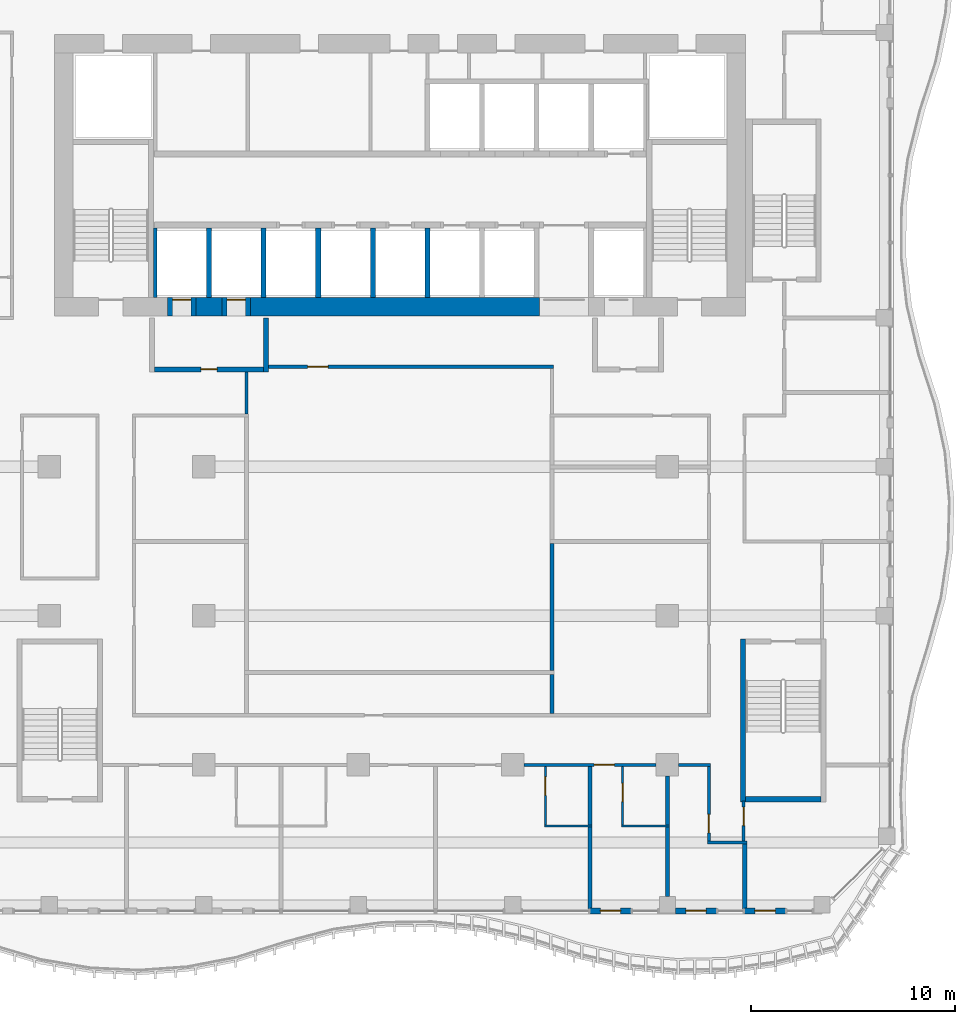
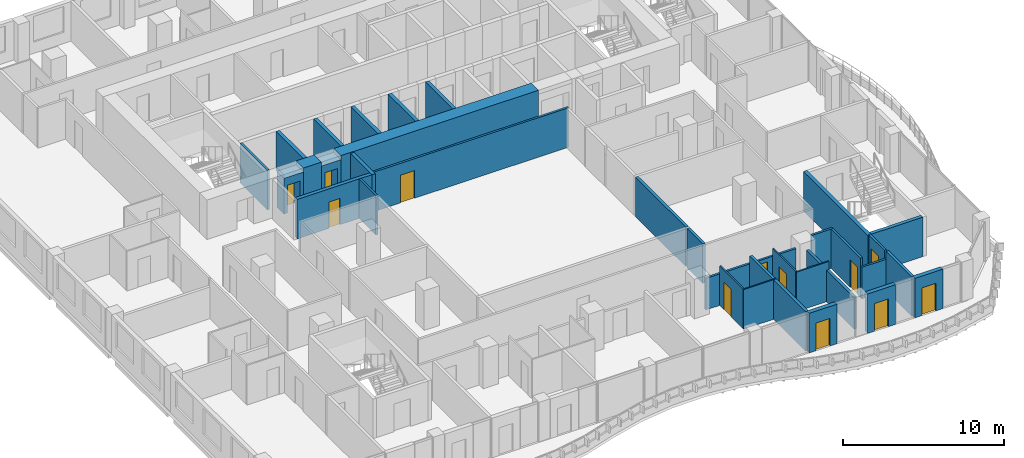
# One storey, part 12 of 23: 35 walls, 12 doors, 12 openings.
"""IFC4 building model written with IfcOpenShell, lengths in metres."""

from ifc_helpers import new_model, si_unit, direction, frame, frame_2d, origin, place, context, subcontext, project, spatial, rectangle, extrude, source, transform, mapped, material, layer, layer_set, type_object, element, fill, save


model = new_model("IFC4")

# Units and contexts
model_context = context("Model", 3, precision=1e-05, world=origin(), true_north=direction((0.0, 1.0)))
body_context = subcontext(model_context, "Body", "Model", "MODEL_VIEW")
ifc_project = project(units=[si_unit("LENGTHUNIT", "METRE"), si_unit("AREAUNIT", "SQUARE_METRE"), si_unit("VOLUMEUNIT", "CUBIC_METRE"), si_unit("PLANEANGLEUNIT", "RADIAN"), si_unit("MASSUNIT", "GRAM", prefix="KILO")], contexts=[model_context])

# Site, building, storey
site_placement = place(None, origin())
site = spatial("IfcSite", under=ifc_project, at=site_placement, CompositionType="ELEMENT")
building_placement = place(site_placement, origin())
building = spatial("IfcBuilding", under=site, at=building_placement, Name="Kilnfold Tower and Market Hall", CompositionType="ELEMENT")
storey_placement = place(building_placement, frame((0.0, 0.0, 160.89990234375)))
storey = spatial("IfcBuildingStorey", under=building, at=storey_placement, Name="L37", CompositionType="ELEMENT", Elevation=160.89990234375)

# Wall, opening, door
ifc_material_1 = material(Name="Gypsum board on steel studs", Category="steel")
ifc_layer_1 = layer(ifc_material_1, 0.14990234375)
ifc_layer_set_1 = layer_set([ifc_layer_1], Name="Gypsum board on steel studs")
wall_type_1 = type_object("IfcWallType", Name="WALL CORRIDOR 150", PredefinedType="PARTITIONING", material=ifc_layer_set_1)
wall_1_placement = place(storey_placement, frame((7.133056640625, -13.93798828125, 0.0), z_axis=(0.0, 0.0, 1.0), x_axis=(1.0, 0.0, 0.0)))
wall_1 = element("IfcWall", 1, at=wall_1_placement, inside=storey, type_object=wall_type_1, Name="Partition LY24.5", PredefinedType="PARTITIONING", context=body_context, shape_type="SweptSolid", body=[
    extrude(rectangle(XDim=6.48388671875, YDim=0.14990234375, at=frame_2d((3.241943359375, 0.0))), origin(), (0.0, 0.0, 1.0), 2.400146484375),
])
opening_1_placement = place(wall_1_placement, frame((3.431884765625, 0.0, 0.0)))
opening_1 = element("IfcOpeningElement", 2, at=opening_1_placement, cuts=wall_1, Name="Opening D1", PredefinedType="OPENING", context=body_context, shape_type="SweptSolid", body=[
    extrude(rectangle(XDim=1.0, YDim=2.10009765625, at=frame_2d((0.5, 1.050048828125))), frame((0.0, 0.0849609375, 0.0), z_axis=(0.0, -1.0, 0.0), x_axis=(1.0, 0.0, 0.0)), (0.0, 0.0, 1.0), 0.169921875),
])
ifc_material_2 = material(Name="Timber veneer door leaf in steel frame", Category="steel")
door_type_1 = type_object("IfcDoorType", Name="DOOR ENTRY 1000 X2100", OperationType="NOTDEFINED", PredefinedType="DOOR", material=ifc_material_2)
door_1_placement = place(opening_1_placement, origin())
door_1 = element("IfcDoor", 3, at=door_1_placement, inside=storey, type_object=door_type_1, Name="Door D1", OperationType="SINGLE_SWING_LEFT", OverallHeight=2.10009765625, OverallWidth=1.0, PredefinedType="DOOR", context=body_context, shape_type="SweptSolid", body=[
    extrude(rectangle(XDim=1.0, YDim=2.10009765625, at=frame_2d((0.5, 1.050048828125))), frame((0.0, 0.02490234375, 0.0), z_axis=(0.0, -1.0, 0.0), x_axis=(1.0, 0.0, 0.0)), (0.0, 0.0, 1.0), 0.050048828125),
])
fill(opening_1, door_1)

# Wall
wall_2_placement = place(storey_placement, frame((16.125, -17.75, 0.0), z_axis=(0.0, 0.0, 1.0), x_axis=(1.0, 0.0, 0.0)))
element("IfcWall", 4, at=wall_2_placement, inside=storey, type_object=wall_type_1, Name="Partition LY24.6", PredefinedType="PARTITIONING", context=body_context, shape_type="SweptSolid", body=[
    extrude(rectangle(XDim=1.93408203125, YDim=0.14990234375, at=frame_2d((0.967041015625, 0.0))), origin(), (0.0, 0.0, 1.0), 2.400146484375),
])

# Wall, opening, door
wall_3_placement = place(storey_placement, frame((16.199951171875, -17.675048828125, 0.0), z_axis=(0.0, 0.0, 1.0), x_axis=(0.0, 1.0, 0.0)))
wall_3 = element("IfcWall", 5, at=wall_3_placement, inside=storey, type_object=wall_type_1, Name="Partition LY24.7", PredefinedType="PARTITIONING", context=body_context, shape_type="SweptSolid", body=[
    extrude(rectangle(XDim=3.662109375, YDim=0.14990234375, at=frame_2d((1.8310546875, 0.0))), origin(), (0.0, 0.0, 1.0), 3.0),
])
opening_2_placement = place(wall_3_placement, frame((0.405029296875, 0.0, 0.0)))
opening_2 = element("IfcOpeningElement", 6, at=opening_2_placement, cuts=wall_3, Name="Opening D2", PredefinedType="OPENING", context=body_context, shape_type="SweptSolid", body=[
    extrude(rectangle(XDim=0.89990234375, YDim=2.10009765625, at=frame_2d((0.449951171875, 1.050048828125))), frame((0.0, 0.0849609375, 0.0), z_axis=(0.0, -1.0, 0.0), x_axis=(1.0, 0.0, 0.0)), (0.0, 0.0, 1.0), 0.169921875),
])
ifc_material_3 = material(Name="Timber veneer door leaf in steel frame", Category="steel")
door_type_2 = type_object("IfcDoorType", Name="DOOR ROOM 900 X2100", OperationType="NOTDEFINED", PredefinedType="DOOR", material=ifc_material_3)
door_2_placement = place(opening_2_placement, origin())
door_2 = element("IfcDoor", 7, at=door_2_placement, inside=storey, type_object=door_type_2, Name="Door D2", OperationType="SINGLE_SWING_RIGHT", OverallHeight=2.10009765625, OverallWidth=0.89990234375, PredefinedType="DOOR", context=body_context, shape_type="SweptSolid", body=[
    extrude(rectangle(XDim=0.89990234375, YDim=2.10009765625, at=frame_2d((0.449951171875, 1.050048828125))), frame((0.0, 0.02490234375, 0.0), z_axis=(0.0, -1.0, 0.0), x_axis=(1.0, 0.0, 0.0)), (0.0, 0.0, 1.0), 0.050048828125),
])
fill(opening_2, door_2)

# Wall
wall_4_placement = place(storey_placement, frame((14.717041015625, -13.93798828125, 0.0), z_axis=(0.0, 0.0, 1.0), x_axis=(1.0, 0.0, 0.0)))
element("IfcWall", 8, at=wall_4_placement, inside=storey, type_object=wall_type_1, Name="Partition LY24.8", PredefinedType="PARTITIONING", context=body_context, shape_type="SweptSolid", body=[
    extrude(rectangle(XDim=1.557861328125, YDim=0.14990234375, at=frame_2d((0.77880859375, 0.0))), origin(), (0.0, 0.0, 1.0), 3.0),
])

# Wall, opening, door
wall_5_placement = place(storey_placement, frame((17.908935546875, -17.675048828125, 0.0), z_axis=(0.0, 0.0, 1.0), x_axis=(0.0, 1.0, 0.0)))
wall_5 = element("IfcWall", 9, at=wall_5_placement, inside=storey, type_object=wall_type_1, Name="Partition LY24.9", PredefinedType="PARTITIONING", context=body_context, shape_type="SweptSolid", body=[
    extrude(rectangle(XDim=1.97509765625, YDim=0.14990234375, at=frame_2d((0.987548828125, 0.0))), origin(), (0.0, 0.0, 1.0), 3.0),
])
opening_3_placement = place(wall_5_placement, frame((0.762939453125, 0.0, 0.0)))
opening_3 = element("IfcOpeningElement", 10, at=opening_3_placement, cuts=wall_5, Name="Opening D2", PredefinedType="OPENING", context=body_context, shape_type="SweptSolid", body=[
    extrude(rectangle(XDim=0.89990234375, YDim=2.10009765625, at=frame_2d((0.449951171875, 1.050048828125))), frame((0.0, 0.0849609375, 0.0), z_axis=(0.0, -1.0, 0.0), x_axis=(1.0, 0.0, 0.0)), (0.0, 0.0, 1.0), 0.169921875),
])
door_3_placement = place(opening_3_placement, origin())
door_3 = element("IfcDoor", 11, at=door_3_placement, inside=storey, type_object=door_type_2, Name="Door D2", OperationType="SINGLE_SWING_RIGHT", OverallHeight=2.10009765625, OverallWidth=0.89990234375, PredefinedType="DOOR", context=body_context, shape_type="SweptSolid", body=[
    extrude(rectangle(XDim=0.89990234375, YDim=2.10009765625, at=frame_2d((0.449951171875, 1.050048828125))), frame((0.0, 0.02490234375, 0.0), z_axis=(0.0, -1.0, 0.0), x_axis=(1.0, 0.0, 0.0)), (0.0, 0.0, 1.0), 0.050048828125),
])
fill(opening_3, door_3)

# Wall
wall_6_placement = place(storey_placement, frame((-6.5, 3.27490234375, 0.0), z_axis=(0.0, 0.0, 1.0), x_axis=(0.0, 1.0, 0.0)))
element("IfcWall", 12, at=wall_6_placement, inside=storey, type_object=wall_type_1, Name="Partition LY24.44", PredefinedType="PARTITIONING", context=body_context, shape_type="SweptSolid", body=[
    extrude(rectangle(XDim=2.0751953125, YDim=0.14990234375, at=frame_2d((1.03759765625, 0.0))), origin(), (0.0, 0.0, 1.0), 3.0),
])

# Wall, opening, door
wall_7_placement = place(storey_placement, frame((-5.39990234375, 5.60009765625, 0.0), z_axis=(0.0, 0.0, 1.0), x_axis=(1.0, 0.0, 0.0)))
wall_7 = element("IfcWall", 13, at=wall_7_placement, inside=storey, type_object=wall_type_1, Name="Partition LY24.46", PredefinedType="PARTITIONING", context=body_context, shape_type="SweptSolid", body=[
    extrude(rectangle(XDim=13.974853515625, YDim=0.14990234375, at=frame_2d((6.9873046875, 0.0))), origin(), (0.0, 0.0, 1.0), 3.0),
])
opening_4_placement = place(wall_7_placement, frame((1.909912109375, 0.0, 0.0)))
opening_4 = element("IfcOpeningElement", 14, at=opening_4_placement, cuts=wall_7, Name="Opening D1", PredefinedType="OPENING", context=body_context, shape_type="SweptSolid", body=[
    extrude(rectangle(XDim=1.0, YDim=2.10009765625, at=frame_2d((0.5, 1.050048828125))), frame((0.0, 0.0849609375, 0.0), z_axis=(0.0, -1.0, 0.0), x_axis=(1.0, 0.0, 0.0)), (0.0, 0.0, 1.0), 0.169921875),
])
door_4_placement = place(opening_4_placement, origin())
door_4 = element("IfcDoor", 15, at=door_4_placement, inside=storey, type_object=door_type_1, Name="Door D1", OperationType="SINGLE_SWING_LEFT", OverallHeight=2.10009765625, OverallWidth=1.0, PredefinedType="DOOR", context=body_context, shape_type="SweptSolid", body=[
    extrude(rectangle(XDim=1.0, YDim=2.10009765625, at=frame_2d((0.5, 1.050048828125))), frame((0.0, 0.02490234375, 0.0), z_axis=(0.0, -1.0, 0.0), x_axis=(1.0, 0.0, 0.0)), (0.0, 0.0, 1.0), 0.050048828125),
])
fill(opening_4, door_4)

ifc_material_4 = material(Name="Gypsum board on steel studs", Category="steel")
ifc_layer_2 = layer(ifc_material_4, 0.10009765625)
ifc_layer_set_2 = layer_set([ifc_layer_2], Name="Gypsum board on steel studs")
wall_type_2 = type_object("IfcWallType", Name="WALL PARTITION 100", PredefinedType="PARTITIONING", material=ifc_layer_set_2)
wall_8_placement = place(storey_placement, frame((8.175048828125, -16.889892578125, 0.0), z_axis=(0.0, 0.0, 1.0), x_axis=(0.0, 1.0, 0.0)))
wall_8 = element("IfcWall", 16, at=wall_8_placement, inside=storey, type_object=wall_type_2, Name="Partition LY24.55", PredefinedType="PARTITIONING", context=body_context, shape_type="SweptSolid", body=[
    extrude(rectangle(XDim=2.875, YDim=0.10009765625, at=frame_2d((1.4375, 0.0))), origin(), (0.0, 0.0, 1.0), 3.0),
])
opening_5_placement = place(wall_8_placement, frame((1.4599609375, 0.0, 0.0)))
opening_5 = element("IfcOpeningElement", 17, at=opening_5_placement, cuts=wall_8, Name="Opening D3", PredefinedType="OPENING", context=body_context, shape_type="SweptSolid", body=[
    extrude(rectangle(XDim=0.89990234375, YDim=2.10009765625, at=frame_2d((0.449951171875, 1.050048828125))), frame((0.0, 0.06005859375, 0.0), z_axis=(0.0, -1.0, 0.0), x_axis=(1.0, 0.0, 0.0)), (0.0, 0.0, 1.0), 0.1201171875),
])
ifc_material_5 = material(Name="Timber veneer door leaf in steel frame", Category="steel")
door_type_3 = type_object("IfcDoorType", Name="DOOR WC 900 X2100", OperationType="NOTDEFINED", PredefinedType="DOOR", material=ifc_material_5)
door_5_placement = place(opening_5_placement, origin())
door_5 = element("IfcDoor", 18, at=door_5_placement, inside=storey, type_object=door_type_3, Name="Door D3", OperationType="SINGLE_SWING_LEFT", OverallHeight=2.10009765625, OverallWidth=0.89990234375, PredefinedType="DOOR", context=body_context, shape_type="SweptSolid", body=[
    extrude(rectangle(XDim=0.89990234375, YDim=2.10009765625, at=frame_2d((0.449951171875, 1.050048828125))), frame((0.0, 0.02490234375, 0.0), z_axis=(0.0, -1.0, 0.0), x_axis=(1.0, 0.0, 0.0)), (0.0, 0.0, 1.0), 0.050048828125),
])
fill(opening_5, door_5)

# Wall
wall_9_placement = place(storey_placement, frame((8.125, -16.93994140625, 0.0), z_axis=(0.0, 0.0, 1.0), x_axis=(1.0, 0.0, 0.0)))
element("IfcWall", 19, at=wall_9_placement, inside=storey, type_object=wall_type_2, Name="Partition LY24.56", PredefinedType="PARTITIONING", context=body_context, shape_type="SweptSolid", body=[
    extrude(rectangle(XDim=2.35009765625, YDim=0.10009765625, at=frame_2d((1.175048828125, 0.0))), origin(), (0.0, 0.0, 1.0), 3.0),
])

# Wall, opening, door
wall_10_placement = place(storey_placement, frame((11.967041015625, -16.889892578125, 0.0), z_axis=(0.0, 0.0, 1.0), x_axis=(0.0, 1.0, 0.0)))
wall_10 = element("IfcWall", 20, at=wall_10_placement, inside=storey, type_object=wall_type_2, Name="Partition LY24.59", PredefinedType="PARTITIONING", context=body_context, shape_type="SweptSolid", body=[
    extrude(rectangle(XDim=2.875, YDim=0.10009765625, at=frame_2d((1.4375, 0.0))), origin(), (0.0, 0.0, 1.0), 3.0),
])
opening_6_placement = place(wall_10_placement, frame((1.14501953125, 0.0, 0.0)))
opening_6 = element("IfcOpeningElement", 21, at=opening_6_placement, cuts=wall_10, Name="Opening D3", PredefinedType="OPENING", context=body_context, shape_type="SweptSolid", body=[
    extrude(rectangle(XDim=0.89990234375, YDim=2.10009765625, at=frame_2d((0.449951171875, 1.050048828125))), frame((0.0, 0.06005859375, 0.0), z_axis=(0.0, -1.0, 0.0), x_axis=(1.0, 0.0, 0.0)), (0.0, 0.0, 1.0), 0.1201171875),
])
door_6_placement = place(opening_6_placement, origin())
door_6 = element("IfcDoor", 22, at=door_6_placement, inside=storey, type_object=door_type_3, Name="Door D3", OperationType="SINGLE_SWING_RIGHT", OverallHeight=2.10009765625, OverallWidth=0.89990234375, PredefinedType="DOOR", context=body_context, shape_type="SweptSolid", body=[
    extrude(rectangle(XDim=0.89990234375, YDim=2.10009765625, at=frame_2d((0.449951171875, 1.050048828125))), frame((0.0, 0.02490234375, 0.0), z_axis=(0.0, -1.0, 0.0), x_axis=(1.0, 0.0, 0.0)), (0.0, 0.0, 1.0), 0.050048828125),
])
fill(opening_6, door_6)

# Walls
wall_11_placement = place(storey_placement, frame((11.9169921875, -16.93994140625, 0.0), z_axis=(0.0, 0.0, 1.0), x_axis=(1.0, 0.0, 0.0)))
element("IfcWall", 23, at=wall_11_placement, inside=storey, type_object=wall_type_2, Name="Partition LY24.60", PredefinedType="PARTITIONING", context=body_context, shape_type="SweptSolid", body=[
    extrude(rectangle(XDim=2.35009765625, YDim=0.10009765625, at=frame_2d((1.175048828125, 0.0))), origin(), (0.0, 0.0, 1.0), 3.0),
])
ifc_material_6 = material(Name="Gypsum board on steel studs", Category="steel")
ifc_layer_3 = layer(ifc_material_6, 0.199951171875)
ifc_layer_set_3 = layer_set([ifc_layer_3], Name="Gypsum board on steel studs")
wall_type_3 = type_object("IfcWallType", Name="WALL PARTY 200", PredefinedType="PARTITIONING", material=ifc_layer_set_3)
wall_12_placement = place(storey_placement, frame((10.375, -21.0, 0.0), z_axis=(0.0, 0.0, 1.0), x_axis=(0.0, 1.0, 0.0)))
element("IfcWall", 24, at=wall_12_placement, inside=storey, type_object=wall_type_3, Name="Partition LY24.57", PredefinedType="PARTITIONING", context=body_context, shape_type="SweptSolid", body=[
    extrude(rectangle(XDim=4.010009765625, YDim=0.199951171875, at=frame_2d((2.0048828125, 0.0))), origin(), (0.0, 0.0, 1.0), 3.0),
])
wall_13_placement = place(storey_placement, frame((10.375, -16.889892578125, 0.0), z_axis=(0.0, 0.0, 1.0), x_axis=(0.0, 1.0, 0.0)))
element("IfcWall", 25, at=wall_13_placement, inside=storey, type_object=wall_type_3, Name="Partition LY24.58", PredefinedType="PARTITIONING", context=body_context, shape_type="SweptSolid", body=[
    extrude(rectangle(XDim=2.875, YDim=0.199951171875, at=frame_2d((1.4375, 0.0))), origin(), (0.0, 0.0, 1.0), 3.0),
])
wall_14_placement = place(storey_placement, frame((14.1669921875, -20.39990234375, 0.0), z_axis=(0.0, 0.0, 1.0), x_axis=(0.0, 1.0, 0.0)))
element("IfcWall", 26, at=wall_14_placement, inside=storey, type_object=wall_type_3, Name="Partition LY24.61", PredefinedType="PARTITIONING", context=body_context, shape_type="SweptSolid", body=[
    extrude(rectangle(XDim=3.409912109375, YDim=0.199951171875, at=frame_2d((1.705078125, 0.0))), origin(), (0.0, 0.0, 1.0), 2.400146484375),
])
wall_15_placement = place(storey_placement, frame((14.1669921875, -16.889892578125, 0.0), z_axis=(0.0, 0.0, 1.0), x_axis=(0.0, 1.0, 0.0)))
element("IfcWall", 27, at=wall_15_placement, inside=storey, type_object=wall_type_3, Name="Partition LY24.62", PredefinedType="PARTITIONING", context=body_context, shape_type="SweptSolid", body=[
    extrude(rectangle(XDim=2.40185546875, YDim=0.199951171875, at=frame_2d((1.200927734375, 0.0))), origin(), (0.0, 0.0, 1.0), 2.400146484375),
])
wall_16_placement = place(storey_placement, frame((17.958984375, -21.0, 0.0), z_axis=(0.0, 0.0, 1.0), x_axis=(0.0, 1.0, 0.0)))
element("IfcWall", 28, at=wall_16_placement, inside=storey, type_object=wall_type_3, Name="Partition LY24.63", PredefinedType="PARTITIONING", context=body_context, shape_type="SweptSolid", body=[
    extrude(rectangle(XDim=3.173095703125, YDim=0.199951171875, at=frame_2d((1.58642578125, 0.0))), origin(), (0.0, 0.0, 1.0), 3.0),
])
wall_17_placement = place(storey_placement, frame((8.5, -11.423095703125, 0.0), z_axis=(0.0, 0.0, 1.0), x_axis=(0.0, 1.0, 0.0)))
element("IfcWall", 29, at=wall_17_placement, inside=storey, type_object=wall_type_3, Name="Partition LY24.108", PredefinedType="PARTITIONING", context=body_context, shape_type="SweptSolid", body=[
    extrude(rectangle(XDim=1.923095703125, YDim=0.199951171875, at=frame_2d((0.96142578125, 0.0))), origin(), (0.0, 0.0, 1.0), 3.0),
])
wall_18_placement = place(storey_placement, frame((8.5, -9.31005859375, 0.0), z_axis=(0.0, 0.0, 1.0), x_axis=(0.0, 1.0, 0.0)))
element("IfcWall", 30, at=wall_18_placement, inside=storey, type_object=wall_type_3, Name="Partition LY24.111", PredefinedType="PARTITIONING", context=body_context, shape_type="SweptSolid", body=[
    extrude(rectangle(XDim=6.240966796875, YDim=0.199951171875, at=frame_2d((3.12060546875, 0.0))), origin(), (0.0, 0.0, 1.0), 3.0),
])
ifc_material_7 = material(Name="Concrete C70", Category="concrete")
ifc_layer_4 = layer(ifc_material_7, 0.89990234375)
ifc_layer_set_4 = layer_set([ifc_layer_4], Name="Concrete C70")
wall_type_4 = type_object("IfcWallType", Name="CORE WALL 900 C70", PredefinedType="SHEAR", material=ifc_layer_set_4)
shared_shape_1 = source(origin(), body_context, "Body", "SweptSolid", [
    extrude(rectangle(XDim=1.280029296875, YDim=0.89990234375, at=frame_2d((0.64013671875, 0.0))), origin(), (0.0, 0.0, 1.0), 3.0),
])
wall_19_placement = place(storey_placement, frame((-8.969970703125, 8.550048828125, 0.0), z_axis=(0.0, 0.0, 1.0), x_axis=(1.0, 0.0, 0.0)))
element("IfcWall", 31, at=wall_19_placement, inside=storey, type_object=wall_type_4, Name="Core outer wall south", PredefinedType="SHEAR", context=body_context, shape_type="MappedRepresentation", body=[
    mapped(shared_shape_1, transform((0.0, 0.0, 0.0))),
])
shared_shape_2 = source(origin(), body_context, "Body", "SweptSolid", [
    extrude(rectangle(XDim=14.179931640625, YDim=0.89990234375, at=frame_2d((7.08984375, 0.0))), origin(), (0.0, 0.0, 1.0), 3.0),
])
wall_20_placement = place(storey_placement, frame((-6.2900390625, 8.550048828125, 0.0), z_axis=(0.0, 0.0, 1.0), x_axis=(1.0, 0.0, 0.0)))
element("IfcWall", 32, at=wall_20_placement, inside=storey, type_object=wall_type_4, Name="Core outer wall south", PredefinedType="SHEAR", context=body_context, shape_type="MappedRepresentation", body=[
    mapped(shared_shape_2, transform((0.0, 0.0, 0.0))),
])
ifc_material_8 = material(Name="Concrete C70", Category="concrete")
ifc_layer_5 = layer(ifc_material_8, 0.25)
ifc_layer_set_5 = layer_set([ifc_layer_5], Name="Concrete C70")
wall_type_5 = type_object("IfcWallType", Name="CORE WALL 250 C70", PredefinedType="SHEAR", material=ifc_layer_set_5)
shared_shape_3 = source(origin(), body_context, "Body", "SweptSolid", [
    extrude(rectangle(XDim=3.699951171875, YDim=0.25, at=frame_2d((1.85009765625, 0.0))), origin(), (0.0, 0.0, 1.0), 3.0),
])
wall_21_placement = place(storey_placement, frame((18.0, -15.625, 0.0), z_axis=(0.0, 0.0, 1.0), x_axis=(1.0, 0.0, 0.0)))
element("IfcWall", 33, at=wall_21_placement, inside=storey, type_object=wall_type_5, Name="Stair enclosure ST4", PredefinedType="SHEAR", context=body_context, shape_type="MappedRepresentation", body=[
    mapped(shared_shape_3, transform((0.0, 0.0, 0.0))),
])
shared_shape_4 = source(origin(), body_context, "Body", "SweptSolid", [
    extrude(rectangle(XDim=8.0, YDim=0.25, at=frame_2d((4.0, 0.0))), origin(), (0.0, 0.0, 1.0), 3.0),
])
wall_22_placement = place(storey_placement, frame((17.875, -15.75, 0.0), z_axis=(0.0, 0.0, 1.0), x_axis=(0.0, 1.0, 0.0)))
element("IfcWall", 34, at=wall_22_placement, inside=storey, type_object=wall_type_5, Name="Stair enclosure ST4", PredefinedType="SHEAR", context=body_context, shape_type="MappedRepresentation", body=[
    mapped(shared_shape_4, transform((0.0, 0.0, 0.0))),
])

# Wall, opening, door
ifc_material_9 = material(Name="Precast concrete C50/60", Category="concrete")
ifc_layer_6 = layer(ifc_material_9, 0.300048828125)
ifc_layer_set_6 = layer_set([ifc_layer_6], Name="Precast concrete C50/60")
wall_type_6 = type_object("IfcWallType", Name="PRECAST WALL 300", PredefinedType="SOLIDWALL", material=ifc_layer_set_6)
shared_shape_5 = source(origin(), body_context, "Body", "SweptSolid", [
    extrude(rectangle(XDim=2.0, YDim=0.300048828125, at=frame_2d((1.0, 0.0))), origin(), (0.0, 0.0, 1.0), 3.0),
])
wall_23_placement = place(storey_placement, frame((10.375, -21.10009765625, 0.0), z_axis=(0.0, 0.0, 1.0), x_axis=(1.0, 0.0, 0.0)))
wall_23 = element("IfcWall", 35, at=wall_23_placement, inside=storey, type_object=wall_type_6, Name="External wall L37 S", PredefinedType="SOLIDWALL", context=body_context, shape_type="MappedRepresentation", body=[
    mapped(shared_shape_5, transform((0.0, 0.0, 0.0))),
])
opening_7_placement = place(wall_23_placement, frame((0.5, 0.0, 0.0)))
opening_7 = element("IfcOpeningElement", 36, at=opening_7_placement, cuts=wall_23, Name="Opening BD1", PredefinedType="OPENING", context=body_context, shape_type="SweptSolid", body=[
    extrude(rectangle(XDim=1.0, YDim=2.10009765625, at=frame_2d((0.5, 1.050048828125))), frame((0.0, 0.16015625, 0.0), z_axis=(0.0, -1.0, 0.0), x_axis=(1.0, 0.0, 0.0)), (0.0, 0.0, 1.0), 0.320068359375),
])
ifc_material_10 = material(Name="Aluminium frame and double glazing", Category="aluminium")
door_type_4 = type_object("IfcDoorType", Name="BALCONY DOOR 1000X2100", OperationType="NOTDEFINED", PredefinedType="DOOR", material=ifc_material_10)
door_7_placement = place(opening_7_placement, origin())
door_7 = element("IfcDoor", 37, at=door_7_placement, inside=storey, type_object=door_type_4, Name="Balcony door BD1 L37 S-2", OperationType="SINGLE_SWING_RIGHT", OverallHeight=2.10009765625, OverallWidth=1.0, PredefinedType="DOOR", context=body_context, shape_type="SweptSolid", body=[
    extrude(rectangle(XDim=1.0, YDim=2.10009765625, at=frame_2d((0.5, 1.050048828125))), frame((0.0, 0.02490234375, 0.0), z_axis=(0.0, -1.0, 0.0), x_axis=(1.0, 0.0, 0.0)), (0.0, 0.0, 1.0), 0.050048828125),
])
fill(opening_7, door_7)

wall_24_placement = place(storey_placement, frame((14.566650390625, -21.10009765625, 0.0), z_axis=(0.0, 0.0, 1.0), x_axis=(1.0, 0.0, 0.0)))
wall_24 = element("IfcWall", 38, at=wall_24_placement, inside=storey, type_object=wall_type_6, Name="External wall L37 S", PredefinedType="SOLIDWALL", context=body_context, shape_type="MappedRepresentation", body=[
    mapped(shared_shape_5, transform((0.0, 0.0, 0.0))),
])
opening_8_placement = place(wall_24_placement, frame((0.5, 0.0, 0.0)))
opening_8 = element("IfcOpeningElement", 39, at=opening_8_placement, cuts=wall_24, Name="Opening BD1", PredefinedType="OPENING", context=body_context, shape_type="SweptSolid", body=[
    extrude(rectangle(XDim=1.0, YDim=2.10009765625, at=frame_2d((0.5, 1.050048828125))), frame((0.0, 0.16015625, 0.0), z_axis=(0.0, -1.0, 0.0), x_axis=(1.0, 0.0, 0.0)), (0.0, 0.0, 1.0), 0.320068359375),
])
door_8_placement = place(opening_8_placement, origin())
door_8 = element("IfcDoor", 40, at=door_8_placement, inside=storey, type_object=door_type_4, Name="Balcony door BD1 L37 S-1", OperationType="SINGLE_SWING_LEFT", OverallHeight=2.10009765625, OverallWidth=1.0, PredefinedType="DOOR", context=body_context, shape_type="SweptSolid", body=[
    extrude(rectangle(XDim=1.0, YDim=2.10009765625, at=frame_2d((0.5, 1.050048828125))), frame((0.0, 0.02490234375, 0.0), z_axis=(0.0, -1.0, 0.0), x_axis=(1.0, 0.0, 0.0)), (0.0, 0.0, 1.0), 0.050048828125),
])
fill(opening_8, door_8)

wall_25_placement = place(storey_placement, frame((17.958251953125, -21.10009765625, 0.0), z_axis=(0.0, 0.0, 1.0), x_axis=(1.0, 0.0, 0.0)))
wall_25 = element("IfcWall", 41, at=wall_25_placement, inside=storey, type_object=wall_type_6, Name="External wall L37 S", PredefinedType="SOLIDWALL", context=body_context, shape_type="MappedRepresentation", body=[
    mapped(shared_shape_5, transform((0.0, 0.0, 0.0))),
])
opening_9_placement = place(wall_25_placement, frame((0.5, 0.0, 0.0)))
opening_9 = element("IfcOpeningElement", 42, at=opening_9_placement, cuts=wall_25, Name="Opening BD1", PredefinedType="OPENING", context=body_context, shape_type="SweptSolid", body=[
    extrude(rectangle(XDim=1.0, YDim=2.10009765625, at=frame_2d((0.5, 1.050048828125))), frame((0.0, 0.16015625, 0.0), z_axis=(0.0, -1.0, 0.0), x_axis=(1.0, 0.0, 0.0)), (0.0, 0.0, 1.0), 0.320068359375),
])
door_9_placement = place(opening_9_placement, origin())
door_9 = element("IfcDoor", 43, at=door_9_placement, inside=storey, type_object=door_type_4, Name="Balcony door BD1 L37 S-2", OperationType="SINGLE_SWING_RIGHT", OverallHeight=2.10009765625, OverallWidth=1.0, PredefinedType="DOOR", context=body_context, shape_type="SweptSolid", body=[
    extrude(rectangle(XDim=1.0, YDim=2.10009765625, at=frame_2d((0.5, 1.050048828125))), frame((0.0, 0.02490234375, 0.0), z_axis=(0.0, -1.0, 0.0), x_axis=(1.0, 0.0, 0.0)), (0.0, 0.0, 1.0), 0.050048828125),
])
fill(opening_9, door_9)

ifc_material_11 = material(Name="Gypsum shaft wall system")
ifc_layer_7 = layer(ifc_material_11, 0.89990234375)
ifc_layer_set_7 = layer_set([ifc_layer_7], Name="Gypsum shaft wall system")
wall_type_7 = type_object("IfcWallType", Name="LOBBY WALL 900", PredefinedType="PARTITIONING", material=ifc_layer_set_7)
shared_shape_6 = source(origin(), body_context, "Body", "SweptSolid", [
    extrude(rectangle(XDim=1.400146484375, YDim=0.89990234375, at=frame_2d((0.7001953125, 0.0))), origin(), (0.0, 0.0, 1.0), 2.7001953125),
])
wall_26_placement = place(storey_placement, frame((-10.3701171875, 8.550048828125, 0.0), z_axis=(0.0, 0.0, 1.0), x_axis=(1.0, 0.0, 0.0)))
wall_26 = element("IfcWall", 44, at=wall_26_placement, inside=storey, type_object=wall_type_7, Name="Core wall infill", PredefinedType="PARTITIONING", context=body_context, shape_type="MappedRepresentation", body=[
    mapped(shared_shape_6, transform((0.0, 0.0, 0.0))),
])
opening_10_placement = place(wall_26_placement, frame((0.25, 0.0, 0.0)))
opening_10 = element("IfcOpeningElement", 45, at=opening_10_placement, cuts=wall_26, Name="Opening LD1", PredefinedType="OPENING", context=body_context, shape_type="SweptSolid", body=[
    extrude(rectangle(XDim=0.89990234375, YDim=2.10009765625, at=frame_2d((0.449951171875, 1.050048828125))), frame((0.0, 0.4599609375, 0.0), z_axis=(0.0, -1.0, 0.0), x_axis=(1.0, 0.0, 0.0)), (0.0, 0.0, 1.0), 0.919921875),
])
ifc_material_12 = material(Name="Steel door set with fire-resisting leaf", Category="steel")
door_type_5 = type_object("IfcDoorType", Name="FIREFIGHTING LANDING DOOR 900X2100", OperationType="NOTDEFINED", PredefinedType="DOOR", material=ifc_material_12)
door_10_placement = place(opening_10_placement, origin())
door_10 = element("IfcDoor", 46, at=door_10_placement, inside=storey, type_object=door_type_5, Name="Landing door FF1", OperationType="SLIDING_TO_LEFT", OverallHeight=2.10009765625, OverallWidth=0.89990234375, PredefinedType="DOOR", context=body_context, shape_type="SweptSolid", body=[
    extrude(rectangle(XDim=0.89990234375, YDim=2.10009765625, at=frame_2d((0.449951171875, 1.050048828125))), frame((0.0, 0.35498046875, 0.0), z_axis=(0.0, -1.0, 0.0), x_axis=(1.0, 0.0, 0.0)), (0.0, 0.0, 1.0), 0.050048828125),
])
fill(opening_10, door_10)

shared_shape_7 = source(origin(), body_context, "Body", "SweptSolid", [
    extrude(rectangle(XDim=1.39990234375, YDim=0.89990234375, at=frame_2d((0.699951171875, 0.0))), origin(), (0.0, 0.0, 1.0), 2.7001953125),
])
wall_27_placement = place(storey_placement, frame((-7.68994140625, 8.550048828125, 0.0), z_axis=(0.0, 0.0, 1.0), x_axis=(1.0, 0.0, 0.0)))
wall_27 = element("IfcWall", 47, at=wall_27_placement, inside=storey, type_object=wall_type_7, Name="Core wall infill", PredefinedType="PARTITIONING", context=body_context, shape_type="MappedRepresentation", body=[
    mapped(shared_shape_7, transform((0.0, 0.0, 0.0))),
])
opening_11_placement = place(wall_27_placement, frame((0.25, 0.0, 0.0)))
opening_11 = element("IfcOpeningElement", 48, at=opening_11_placement, cuts=wall_27, Name="Opening LD1", PredefinedType="OPENING", context=body_context, shape_type="SweptSolid", body=[
    extrude(rectangle(XDim=0.89990234375, YDim=2.10009765625, at=frame_2d((0.449951171875, 1.050048828125))), frame((0.0, 0.4599609375, 0.0), z_axis=(0.0, -1.0, 0.0), x_axis=(1.0, 0.0, 0.0)), (0.0, 0.0, 1.0), 0.919921875),
])
door_11_placement = place(opening_11_placement, origin())
door_11 = element("IfcDoor", 49, at=door_11_placement, inside=storey, type_object=door_type_5, Name="Landing door FF2", OperationType="SLIDING_TO_RIGHT", OverallHeight=2.10009765625, OverallWidth=0.89990234375, PredefinedType="DOOR", context=body_context, shape_type="SweptSolid", body=[
    extrude(rectangle(XDim=0.89990234375, YDim=2.10009765625, at=frame_2d((0.449951171875, 1.050048828125))), frame((0.0, 0.35498046875, 0.0), z_axis=(0.0, -1.0, 0.0), x_axis=(1.0, 0.0, 0.0)), (0.0, 0.0, 1.0), 0.050048828125),
])
fill(opening_11, door_11)

# Wall
ifc_material_13 = material(Name="Gypsum shaft wall system")
ifc_layer_8 = layer(ifc_material_13, 0.25)
ifc_layer_set_8 = layer_set([ifc_layer_8], Name="Gypsum shaft wall system")
wall_type_8 = type_object("IfcWallType", Name="LOBBY WALL 250", PredefinedType="PARTITIONING", material=ifc_layer_set_8)
shared_shape_8 = source(origin(), body_context, "Body", "SweptSolid", [
    extrude(rectangle(XDim=2.64990234375, YDim=0.25, at=frame_2d((1.324951171875, 0.0))), origin(), (0.0, 0.0, 1.0), 3.0),
])
wall_28_placement = place(storey_placement, frame((-5.52490234375, 5.35009765625, 0.0), z_axis=(0.0, 0.0, 1.0), x_axis=(0.0, 1.0, 0.0)))
element("IfcWall", 50, at=wall_28_placement, inside=storey, type_object=wall_type_8, Name="Firefighting lobby wall", PredefinedType="PARTITIONING", context=body_context, shape_type="MappedRepresentation", body=[
    mapped(shared_shape_8, transform((0.0, 0.0, 0.0))),
])

# Wall, opening, door
shared_shape_9 = source(origin(), body_context, "Body", "SweptSolid", [
    extrude(rectangle(XDim=5.360107421875, YDim=0.25, at=frame_2d((2.68017578125, 0.0))), origin(), (0.0, 0.0, 1.0), 3.0),
])
wall_29_placement = place(storey_placement, frame((-11.010009765625, 5.47509765625, 0.0), z_axis=(0.0, 0.0, 1.0), x_axis=(1.0, 0.0, 0.0)))
wall_29 = element("IfcWall", 51, at=wall_29_placement, inside=storey, type_object=wall_type_8, Name="Firefighting lobby wall", PredefinedType="PARTITIONING", context=body_context, shape_type="MappedRepresentation", body=[
    mapped(shared_shape_9, transform((0.0, 0.0, 0.0))),
])
opening_12_placement = place(wall_29_placement, frame((2.280029296875, 0.0, 0.0)))
opening_12 = element("IfcOpeningElement", 52, at=opening_12_placement, cuts=wall_29, Name="Opening VD1", PredefinedType="OPENING", context=body_context, shape_type="SweptSolid", body=[
    extrude(rectangle(XDim=0.800048828125, YDim=2.0, at=frame_2d((0.39990234375, 1.0))), frame((0.0, 0.135009765625, 0.0), z_axis=(0.0, -1.0, 0.0), x_axis=(1.0, 0.0, 0.0)), (0.0, 0.0, 1.0), 0.27001953125),
])
ifc_material_14 = material(Name="Steel door set with fire-resisting leaf", Category="steel")
door_type_6 = type_object("IfcDoorType", Name="FIREFIGHTING LOBBY DOOR 800X2000", OperationType="NOTDEFINED", PredefinedType="DOOR", material=ifc_material_14)
door_12_placement = place(opening_12_placement, origin())
door_12 = element("IfcDoor", 53, at=door_12_placement, inside=storey, type_object=door_type_6, Name="Firefighting lobby door", OperationType="SINGLE_SWING_LEFT", OverallHeight=2.0, OverallWidth=0.800048828125, PredefinedType="DOOR", context=body_context, shape_type="SweptSolid", body=[
    extrude(rectangle(XDim=0.800048828125, YDim=2.0, at=frame_2d((0.39990234375, 1.0))), frame((0.0, 0.02490234375, 0.0), z_axis=(0.0, -1.0, 0.0), x_axis=(1.0, 0.0, 0.0)), (0.0, 0.0, 1.0), 0.050048828125),
])
fill(opening_12, door_12)

# Walls
ifc_material_15 = material(Name="Gypsum shaft wall system")
ifc_layer_9 = layer(ifc_material_15, 0.25)
ifc_layer_set_9 = layer_set([ifc_layer_9], Name="Gypsum shaft wall system")
wall_type_9 = type_object("IfcWallType", Name="SHAFT WALL 250", PredefinedType="PARTITIONING", material=ifc_layer_set_9)
shared_shape_10 = source(origin(), body_context, "Body", "SweptSolid", [
    extrude(rectangle(XDim=3.39990234375, YDim=0.25, at=frame_2d((1.699951171875, 0.0))), origin(), (0.0, 0.0, 1.0), 3.0),
])
for number, where, z_axis, x_axis, name in (
    (54, (2.389892578125, 9.0, 0.0), (0.0, 0.0, 1.0), (0.0, 1.0, 0.0), "Lift shaft wall"),
    (55, (-0.2900390625, 9.0, 0.0), (0.0, 0.0, 1.0), (0.0, 1.0, 0.0), "Lift shaft wall"),
    (56, (-2.969970703125, 9.0, 0.0), (0.0, 0.0, 1.0), (0.0, 1.0, 0.0), "Lift shaft wall"),
    (57, (-5.64990234375, 9.0, 0.0), (0.0, 0.0, 1.0), (0.0, 1.0, 0.0), "Lift shaft wall"),
    (58, (-8.330078125, 9.0, 0.0), (0.0, 0.0, 1.0), (0.0, 1.0, 0.0), "Lift shaft wall"),
):
    element("IfcWall", number, at=place(storey_placement, frame(where, z_axis=z_axis, x_axis=x_axis)), inside=storey, type_object=wall_type_9, Name=name, PredefinedType="PARTITIONING", context=body_context, shape_type="MappedRepresentation", body=[
        mapped(shared_shape_10, transform((0.0, 0.0, 0.0))),
    ])
ifc_material_16 = material(Name="Gypsum shaft wall system")
ifc_layer_10 = layer(ifc_material_16, 0.1650390625)
ifc_layer_set_10 = layer_set([ifc_layer_10], Name="Gypsum shaft wall system")
wall_type_10 = type_object("IfcWallType", Name="SHAFT WALL 165", PredefinedType="PARTITIONING", material=ifc_layer_set_10)
shared_shape_11 = source(origin(), body_context, "Body", "SweptSolid", [
    extrude(rectangle(XDim=3.39990234375, YDim=0.1650390625, at=frame_2d((1.699951171875, 0.0))), origin(), (0.0, 0.0, 1.0), 3.0),
])
wall_30_placement = place(storey_placement, frame((-10.967529296875, 9.0, 0.0), z_axis=(0.0, 0.0, 1.0), x_axis=(0.0, 1.0, 0.0)))
element("IfcWall", 59, at=wall_30_placement, inside=storey, type_object=wall_type_10, Name="Lift shaft wall", PredefinedType="PARTITIONING", context=body_context, shape_type="MappedRepresentation", body=[
    mapped(shared_shape_11, transform((0.0, 0.0, 0.0))),
])

save(model, "model.ifc")
